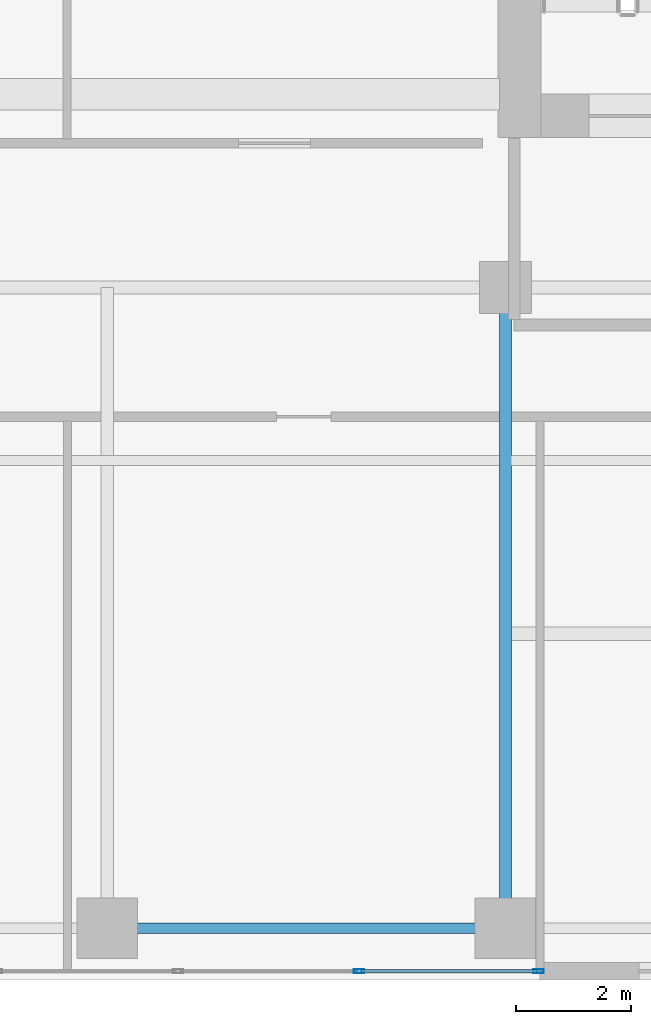
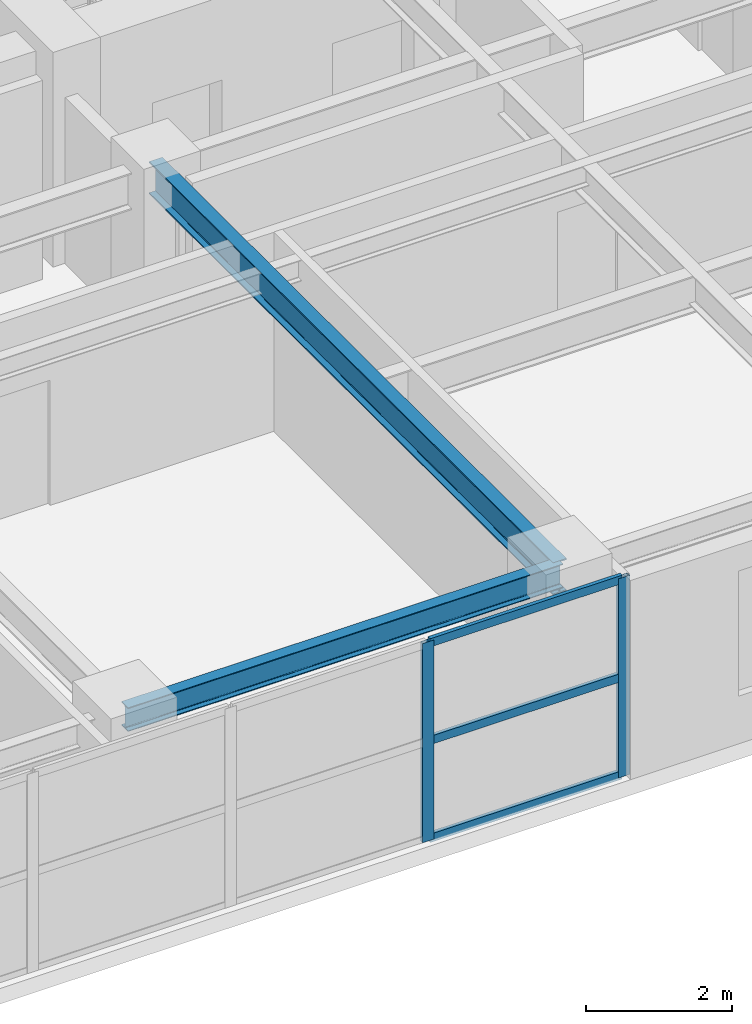
# One storey, part 5 of 18: 5 members, 2 beams, 1 element without a shape of its own.
"""IFC4 building model written with IfcOpenShell, lengths in metres."""

from ifc_helpers import new_model, si_unit, direction, frame, origin, origin_2d, place, context, subcontext, project, spatial, hollow_rectangle, i_section, extrude, source, transform, mapped, material, layer, layer_set, material_profile, profile_set, type_object, element, aggregate, save


model = new_model("IFC4")

# Units and contexts
model_context = context("Model", 3, precision=1e-05, world=origin(), true_north=direction((0.0, 1.0)))
body_context = subcontext(model_context, "Body", "Model", "MODEL_VIEW")
ifc_project = project(units=[si_unit("LENGTHUNIT", "METRE"), si_unit("AREAUNIT", "SQUARE_METRE"), si_unit("VOLUMEUNIT", "CUBIC_METRE"), si_unit("PLANEANGLEUNIT", "RADIAN"), si_unit("MASSUNIT", "GRAM", prefix="KILO")], contexts=[model_context])

# Site, building, storey
site_placement = place(None, origin())
site = spatial("IfcSite", under=ifc_project, at=site_placement, CompositionType="ELEMENT")
building_placement = place(site_placement, origin())
building = spatial("IfcBuilding", under=site, at=building_placement, Name="Khoralis Quay Care Tower", CompositionType="ELEMENT")
storey_placement = place(building_placement, frame((0.0, 0.0, 130.5)))
storey = spatial("IfcBuildingStorey", under=building, at=storey_placement, Name="L34", CompositionType="ELEMENT", Elevation=130.5)

# Beams
ifc_material_1 = material(Name="Steel S355", Category="steel")
ifc_material_profile_1 = material_profile(ifc_material_1, i_section(OverallWidth=0.179931640625, OverallDepth=0.39990234375, WebThickness=0.008544921875, FlangeThickness=0.013427734375, FilletRadius=0.02099609375, at=origin_2d()), Name="Steel S355")
ifc_profile_set_1 = profile_set([ifc_material_profile_1], Name="Steel S355")
beam_type_1 = type_object("IfcBeamType", Name="BM-IPE400", PredefinedType="SPANDREL", material=ifc_profile_set_1)
shared_shape_1 = source(origin(), body_context, "Body", "SweptSolid", [
    extrude(i_section(OverallWidth=0.179931640625, OverallDepth=0.39990234375, WebThickness=0.008544921875, FlangeThickness=0.013427734375, FilletRadius=0.02099609375, at=origin_2d()), origin(), (0.0, 0.0, 1.0), 6.89990234375),
])
beam_1_placement = place(storey_placement, frame((24.0, 0.89990234375, 3.139892578125), z_axis=(1.0, 0.0, 0.0), x_axis=(0.0, 1.0, 0.0)))
element("IfcBeam", 1, at=beam_1_placement, inside=storey, type_object=beam_type_1, Name="BM-TSP-L34-04", PredefinedType="SPANDREL", context=body_context, shape_type="MappedRepresentation", body=[
    mapped(shared_shape_1, transform((0.0, 0.0, 0.0), scale=1.0)),
])
ifc_material_profile_2 = material_profile(ifc_material_1, i_section(OverallWidth=0.2119140625, OverallDepth=0.5439453125, WebThickness=0.01318359375, FlangeThickness=0.021240234375, FilletRadius=0.01611328125, at=origin_2d()), Name="Steel S355")
ifc_profile_set_2 = profile_set([ifc_material_profile_2], Name="Steel S355")
beam_type_2 = type_object("IfcBeamType", Name="BM-W530X123", PredefinedType="BEAM", material=ifc_profile_set_2)
shared_shape_2 = source(origin(), body_context, "Body", "SweptSolid", [
    extrude(i_section(OverallWidth=0.2119140625, OverallDepth=0.5439453125, WebThickness=0.01318359375, FlangeThickness=0.021240234375, FilletRadius=0.01611328125, at=origin_2d()), origin(), (0.0, 0.0, 1.0), 11.10009765625),
])
beam_2_placement = place(storey_placement, frame((30.89990234375, 0.89990234375, 3.068115234375), z_axis=(0.0, 1.0, 0.0), x_axis=(-1.0, 0.0, 0.0)))
element("IfcBeam", 2, at=beam_2_placement, inside=storey, type_object=beam_type_2, Name="BM-TGYS-L34-309", PredefinedType="BEAM", context=body_context, shape_type="MappedRepresentation", body=[
    mapped(shared_shape_2, transform((0.0, 0.0, 0.0), scale=1.0)),
])

# Curtain wall, members
ifc_material_2 = material(Name="Pale anodised aluminium", Category="aluminium")
ifc_layer = layer(ifc_material_2, 0.169921875)
ifc_layer_set = layer_set([ifc_layer], Name="Pale anodised aluminium")
curtain_wall_type = type_object("IfcCurtainWallType", Name="CW-SYS-Z2", PredefinedType="NOTDEFINED", material=ifc_layer_set)
curtain_wall_placement = place(storey_placement, origin())
curtain_wall = element("IfcCurtainWall", 3, at=curtain_wall_placement, inside=storey, type_object=curtain_wall_type, Name="L34 Unitised Curtain Wall CW-L34-P1-E0", PredefinedType="NOTDEFINED")
ifc_material_profile_3 = material_profile(ifc_material_2, hollow_rectangle(XDim=0.06494140625, YDim=0.179931640625, WallThickness=0.00390625, at=origin_2d()), Name="Pale anodised aluminium")
ifc_profile_set_3 = profile_set([ifc_material_profile_3], Name="Pale anodised aluminium")
member_type_1 = type_object("IfcMemberType", Name="CW-MUL-180", PredefinedType="MULLION", material=ifc_profile_set_3)
shared_shape_3 = source(origin(), body_context, "Body", "SweptSolid", [
    extrude(hollow_rectangle(XDim=0.06494140625, YDim=0.179931640625, WallThickness=0.00390625, at=origin_2d()), origin(), (0.0, 0.0, 1.0), 3.340087890625),
])
member_1_placement = place(storey_placement, frame((28.36328125, 0.14990234375, 0.0), z_axis=(0.0, 0.0, 1.0), x_axis=(0.0, 1.0, 0.0)))
member_1 = element("IfcMember", 4, at=member_1_placement, type_object=member_type_1, Name="CW2 mullion 6", PredefinedType="MULLION", context=body_context, shape_type="MappedRepresentation", body=[
    mapped(shared_shape_3, transform((0.0, 0.0, 0.0), scale=1.0)),
])
member_2_placement = place(storey_placement, frame((31.469970703125, 0.14990234375, 0.0), z_axis=(0.0, 0.0, 1.0), x_axis=(0.0, 1.0, 0.0)))
member_2 = element("IfcMember", 5, at=member_2_placement, type_object=member_type_1, Name="CW2 mullion 7", PredefinedType="MULLION", context=body_context, shape_type="MappedRepresentation", body=[
    mapped(shared_shape_3, transform((0.0, 0.0, 0.0), scale=1.0)),
])
ifc_material_profile_4 = material_profile(ifc_material_2, hollow_rectangle(XDim=0.06005859375, YDim=0.139892578125, WallThickness=0.00390625, at=origin_2d()), Name="Pale anodised aluminium")
ifc_profile_set_4 = profile_set([ifc_material_profile_4], Name="Pale anodised aluminium")
member_type_2 = type_object("IfcMemberType", Name="CW-TRN-140", PredefinedType="USERDEFINED", material=ifc_profile_set_4)
shared_shape_4 = source(origin(), body_context, "Body", "SweptSolid", [
    extrude(hollow_rectangle(XDim=0.06005859375, YDim=0.139892578125, WallThickness=0.00390625, at=origin_2d()), origin(), (0.0, 0.0, 1.0), 3.046630859375),
])
member_3_placement = place(storey_placement, frame((28.393310546875, 0.14990234375, 0.030029296875), z_axis=(1.0, 0.0, 0.0), x_axis=(0.0, 1.0, 0.0)))
member_3 = element("IfcMember", 6, at=member_3_placement, type_object=member_type_2, Name="CW2 transom 6.1", ObjectType="TRANSOM", PredefinedType="USERDEFINED", context=body_context, shape_type="MappedRepresentation", body=[
    mapped(shared_shape_4, transform((0.0, 0.0, 0.0), scale=1.0)),
])
member_4_placement = place(storey_placement, frame((28.393310546875, 0.14990234375, 1.669921875), z_axis=(1.0, 0.0, 0.0), x_axis=(0.0, 1.0, 0.0)))
member_4 = element("IfcMember", 7, at=member_4_placement, type_object=member_type_2, Name="CW2 transom 6.2", ObjectType="TRANSOM", PredefinedType="USERDEFINED", context=body_context, shape_type="MappedRepresentation", body=[
    mapped(shared_shape_4, transform((0.0, 0.0, 0.0), scale=1.0)),
])
member_5_placement = place(storey_placement, frame((28.393310546875, 0.14990234375, 3.31005859375), z_axis=(1.0, 0.0, 0.0), x_axis=(0.0, 1.0, 0.0)))
member_5 = element("IfcMember", 8, at=member_5_placement, type_object=member_type_2, Name="CW2 transom 6.3", ObjectType="TRANSOM", PredefinedType="USERDEFINED", context=body_context, shape_type="MappedRepresentation", body=[
    mapped(shared_shape_4, transform((0.0, 0.0, 0.0), scale=1.0)),
])
aggregate(curtain_wall, [member_1, member_2, member_3, member_4, member_5])

save(model, "model.ifc")
